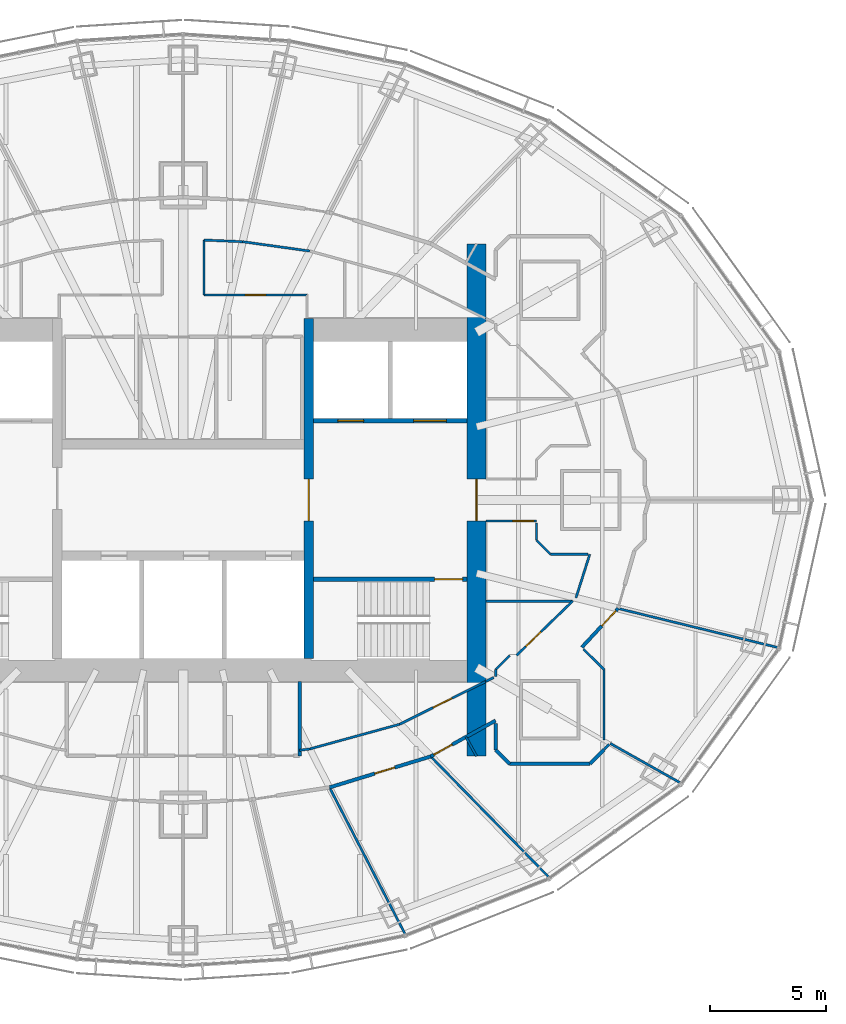
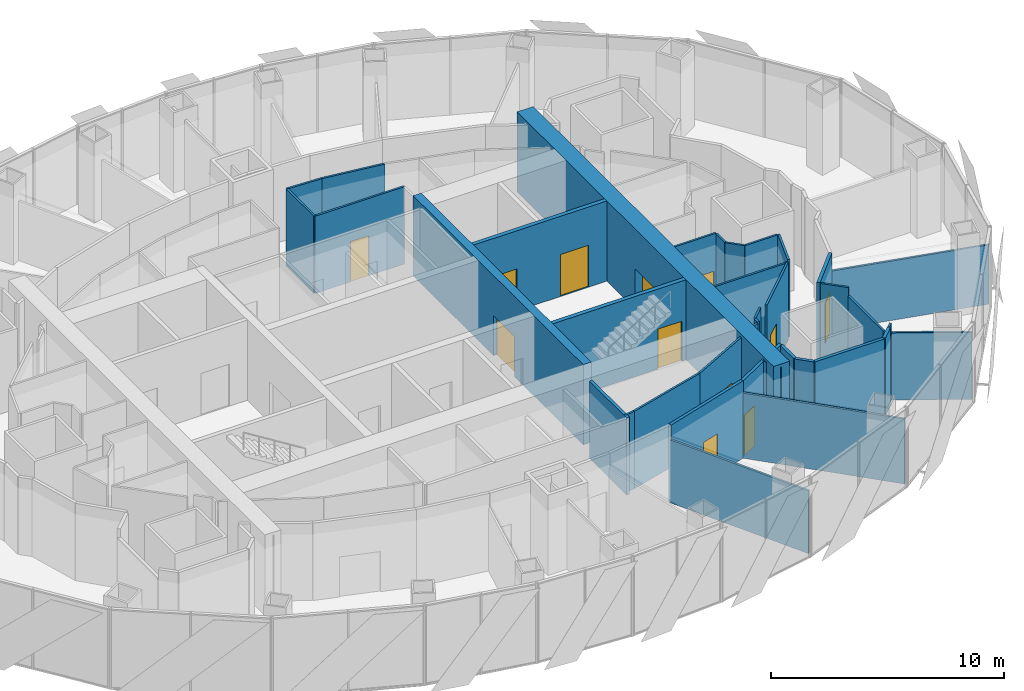
# One storey, part 14 of 19: 37 walls, 12 doors, 12 openings.
"""IFC4 building model written with IfcOpenShell, lengths in metres."""

from ifc_helpers import new_model, si_unit, direction, frame, frame_2d, origin, place, context, subcontext, project, spatial, rectangle, extrude, material, layer, layer_set, type_object, element, fill, save


model = new_model("IFC4")

# Units and contexts
model_context = context("Model", 3, precision=1e-05, world=origin(), true_north=direction((0.0, 1.0)))
body_context = subcontext(model_context, "Body", "Model", "MODEL_VIEW")
ifc_project = project(units=[si_unit("LENGTHUNIT", "METRE"), si_unit("AREAUNIT", "SQUARE_METRE"), si_unit("VOLUMEUNIT", "CUBIC_METRE"), si_unit("PLANEANGLEUNIT", "RADIAN"), si_unit("MASSUNIT", "GRAM", prefix="KILO")], contexts=[model_context])

# Site, building, storey
site_placement = place(None, origin())
site = spatial("IfcSite", under=ifc_project, at=site_placement, CompositionType="ELEMENT")
building_placement = place(site_placement, origin())
building = spatial("IfcBuilding", under=site, at=building_placement, Name="Lantaw Convention Tower", CompositionType="ELEMENT")
storey_placement = place(building_placement, frame((0.0, 0.0, 249.39990234375)))
storey = spatial("IfcBuildingStorey", under=building, at=storey_placement, Name="L58", CompositionType="ELEMENT", Elevation=249.39990234375)

# Wall, opening, door
ifc_material_1 = material(Name="Concrete C60/75", Category="concrete")
ifc_layer_1 = layer(ifc_material_1, 0.199951171875)
ifc_layer_set_1 = layer_set([ifc_layer_1], Name="Core wall 200")
wall_type_1 = type_object("IfcWallType", Name="Core wall 200", PredefinedType="SHEAR", material=ifc_layer_set_1)
wall_1_placement = place(storey_placement, frame((5.60009765625, -3.39990234375, 0.0), z_axis=(0.0, 0.0, 1.0), x_axis=(1.0, 0.0, 0.0)))
wall_1 = element("IfcWall", 1, at=wall_1_placement, inside=storey, type_object=wall_type_1, Name="Core wall ES", PredefinedType="SHEAR", context=body_context, shape_type="SweptSolid", body=[
    extrude(rectangle(XDim=6.599853515625, YDim=0.199951171875, at=frame_2d((3.2998046875, 0.0))), origin(), (0.0, 0.0, 1.0), 4.2001953125),
])
opening_1_placement = place(wall_1_placement, frame((5.199951171875, 0.0, 0.0)))
opening_1 = element("IfcOpeningElement", 2, at=opening_1_placement, cuts=wall_1, Name="Opening L58.03", PredefinedType="OPENING", context=body_context, shape_type="SweptSolid", body=[
    extrude(rectangle(XDim=1.199951171875, YDim=2.10009765625, at=frame_2d((0.60009765625, 1.050048828125))), frame((0.0, 0.10986328125, 0.0), z_axis=(0.0, -1.0, 0.0), x_axis=(1.0, 0.0, 0.0)), (0.0, 0.0, 1.0), 0.219970703125),
])
ifc_material_2 = material(Name="Steel, fire rated", Category="steel")
door_type_1 = type_object("IfcDoorType", Name="Stair door FD90", OperationType="SINGLE_SWING_RIGHT", PredefinedType="DOOR", material=ifc_material_2)
door_1_placement = place(opening_1_placement, origin())
door_1 = element("IfcDoor", 3, at=door_1_placement, inside=storey, type_object=door_type_1, Name="Exit stair door", OperationType="SINGLE_SWING_RIGHT", OverallHeight=2.10009765625, OverallWidth=1.199951171875, PredefinedType="DOOR", context=body_context, shape_type="SweptSolid", body=[
    extrude(rectangle(XDim=1.199951171875, YDim=2.10009765625, at=frame_2d((0.60009765625, 1.050048828125))), frame((0.0, 0.02490234375, 0.0), z_axis=(0.0, -1.0, 0.0), x_axis=(1.0, 0.0, 0.0)), (0.0, 0.0, 1.0), 0.050048828125),
])
fill(opening_1, door_1)

ifc_layer_2 = layer(ifc_material_1, 0.39990234375)
ifc_layer_set_2 = layer_set([ifc_layer_2], Name="Core wall 400")
wall_type_2 = type_object("IfcWallType", Name="Core wall 400", PredefinedType="SHEAR", material=ifc_layer_set_2)
wall_2_placement = place(storey_placement, frame((5.39990234375, -6.800048828125, 0.0), z_axis=(0.0, 0.0, 1.0), x_axis=(0.0, 1.0, 0.0)))
wall_2 = element("IfcWall", 4, at=wall_2_placement, inside=storey, type_object=wall_type_2, Name="Core wall XE", PredefinedType="SHEAR", context=body_context, shape_type="SweptSolid", body=[
    extrude(rectangle(XDim=14.60009765625, YDim=0.39990234375, at=frame_2d((7.300048828125, 0.0))), origin(), (0.0, 0.0, 1.0), 4.2001953125),
])
opening_2_placement = place(wall_2_placement, frame((5.89990234375, 0.0, 0.0)))
opening_2 = element("IfcOpeningElement", 5, at=opening_2_placement, cuts=wall_2, Name="Opening L58.01", PredefinedType="OPENING", context=body_context, shape_type="SweptSolid", body=[
    extrude(rectangle(XDim=1.800048828125, YDim=2.10009765625, at=frame_2d((0.89990234375, 1.050048828125))), frame((0.0, 0.2099609375, 0.0), z_axis=(0.0, -1.0, 0.0), x_axis=(1.0, 0.0, 0.0)), (0.0, 0.0, 1.0), 0.419921875),
])
door_type_2 = type_object("IfcDoorType", Name="Lobby double door FD90", OperationType="DOUBLE_DOOR_DOUBLE_SWING", PredefinedType="DOOR", material=ifc_material_2)
door_2_placement = place(opening_2_placement, origin())
door_2 = element("IfcDoor", 6, at=door_2_placement, inside=storey, type_object=door_type_2, Name="Lift lobby door", OperationType="DOUBLE_DOOR_DOUBLE_SWING", OverallHeight=2.10009765625, OverallWidth=1.800048828125, PredefinedType="DOOR", context=body_context, shape_type="SweptSolid", body=[
    extrude(rectangle(XDim=1.800048828125, YDim=2.10009765625, at=frame_2d((0.89990234375, 1.050048828125))), frame((0.0, 0.02490234375, 0.0), z_axis=(0.0, -1.0, 0.0), x_axis=(1.0, 0.0, 0.0)), (0.0, 0.0, 1.0), 0.050048828125),
])
fill(opening_2, door_2)

ifc_layer_3 = layer(ifc_material_1, 0.800048828125)
ifc_layer_set_3 = layer_set([ifc_layer_3], Name="Core wall 800")
wall_type_3 = type_object("IfcWallType", Name="Core wall 800", PredefinedType="SHEAR", material=ifc_layer_set_3)
wall_3_placement = place(storey_placement, frame((12.60009765625, -11.0, 0.0), z_axis=(0.0, 0.0, 1.0), x_axis=(0.0, 1.0, 0.0)))
wall_3 = element("IfcWall", 7, at=wall_3_placement, inside=storey, type_object=wall_type_3, Name="Core wall E", PredefinedType="SHEAR", context=body_context, shape_type="SweptSolid", body=[
    extrude(rectangle(XDim=22.0, YDim=0.800048828125, at=frame_2d((11.0, 0.0))), origin(), (0.0, 0.0, 1.0), 4.2001953125),
])
opening_3_placement = place(wall_3_placement, frame((10.10009765625, 0.0, 0.0)))
opening_3 = element("IfcOpeningElement", 8, at=opening_3_placement, cuts=wall_3, Name="Opening L58.05", PredefinedType="OPENING", context=body_context, shape_type="SweptSolid", body=[
    extrude(rectangle(XDim=1.800048828125, YDim=2.10009765625, at=frame_2d((0.89990234375, 1.050048828125))), frame((0.0, 0.409912109375, 0.0), z_axis=(0.0, -1.0, 0.0), x_axis=(1.0, 0.0, 0.0)), (0.0, 0.0, 1.0), 0.820068359375),
])
door_3_placement = place(opening_3_placement, origin())
door_3 = element("IfcDoor", 9, at=door_3_placement, inside=storey, type_object=door_type_2, Name="Firefighting lobby door", OperationType="DOUBLE_DOOR_DOUBLE_SWING", OverallHeight=2.10009765625, OverallWidth=1.800048828125, PredefinedType="DOOR", context=body_context, shape_type="SweptSolid", body=[
    extrude(rectangle(XDim=1.800048828125, YDim=2.10009765625, at=frame_2d((0.89990234375, 1.050048828125))), frame((0.0, 0.02490234375, 0.0), z_axis=(0.0, -1.0, 0.0), x_axis=(1.0, 0.0, 0.0)), (0.0, 0.0, 1.0), 0.050048828125),
])
fill(opening_3, door_3)

ifc_material_3 = material(Name="Gypsum board on steel studs, fire rated", Category="steel")
ifc_layer_4 = layer(ifc_material_3, 0.14990234375)
ifc_layer_set_4 = layer_set([ifc_layer_4], Name="Corridor wall 150 EI 60")
wall_type_4 = type_object("IfcWallType", Name="Corridor wall 150 EI 60", PredefinedType="PARTITIONING", material=ifc_layer_set_4)
wall_4_placement = place(storey_placement, frame((6.287841796875, -12.3408203125, 0.0), z_axis=(0.0, 0.0, 1.0), x_axis=(0.956185837153, 0.292760388079, 0.0)))
wall_4 = element("IfcWall", 10, at=wall_4_placement, inside=storey, type_object=wall_type_4, Name="Corridor wall 150", PredefinedType="PARTITIONING", context=body_context, shape_type="SweptSolid", body=[
    extrude(rectangle(XDim=4.5439453125, YDim=0.14990234375, at=frame_2d((2.27197265625, 0.0))), origin(), (0.0, 0.0, 1.0), 4.050048828125),
])
opening_4_placement = place(wall_4_placement, frame((2.031005859375, 0.0, 0.0)))
opening_4 = element("IfcOpeningElement", 11, at=opening_4_placement, cuts=wall_4, Name="Opening L58.48", PredefinedType="OPENING", context=body_context, shape_type="SweptSolid", body=[
    extrude(rectangle(XDim=0.89990234375, YDim=2.10009765625, at=frame_2d((0.449951171875, 1.050048828125))), frame((0.0, 0.0849609375, 0.0), z_axis=(0.0, -1.0, 0.0), x_axis=(1.0, 0.0, 0.0)), (0.0, 0.0, 1.0), 0.169921875),
])
door_type_3 = type_object("IfcDoorType", Name="Office door 900 FD30", OperationType="SINGLE_SWING_LEFT", PredefinedType="DOOR", material=ifc_material_2)
door_4_placement = place(opening_4_placement, origin())
door_4 = element("IfcDoor", 12, at=door_4_placement, inside=storey, type_object=door_type_3, Name="Private office door", OperationType="SINGLE_SWING_LEFT", OverallHeight=2.10009765625, OverallWidth=0.89990234375, PredefinedType="DOOR", context=body_context, shape_type="SweptSolid", body=[
    extrude(rectangle(XDim=0.89990234375, YDim=2.10009765625, at=frame_2d((0.449951171875, 1.050048828125))), frame((0.0, 0.02490234375, 0.0), z_axis=(0.0, -1.0, 0.0), x_axis=(1.0, 0.0, 0.0)), (0.0, 0.0, 1.0), 0.050048828125),
])
fill(opening_4, door_4)

wall_5_placement = place(storey_placement, frame((10.6328125, -11.010498046875, 0.0), z_axis=(0.0, 0.0, 1.0), x_axis=(0.875072100837, 0.483992580869, 0.0)))
wall_5 = element("IfcWall", 13, at=wall_5_placement, inside=storey, type_object=wall_type_4, Name="Corridor wall 150", PredefinedType="PARTITIONING", context=body_context, shape_type="SweptSolid", body=[
    extrude(rectangle(XDim=3.179443359375, YDim=0.14990234375, at=frame_2d((1.58984375, 0.0))), origin(), (0.0, 0.0, 1.0), 4.050048828125),
])
opening_5_placement = place(wall_5_placement, frame((0.14990234375, 0.0, 0.0)))
opening_5 = element("IfcOpeningElement", 14, at=opening_5_placement, cuts=wall_5, Name="Opening L58.49", PredefinedType="OPENING", context=body_context, shape_type="SweptSolid", body=[
    extrude(rectangle(XDim=0.89990234375, YDim=2.10009765625, at=frame_2d((0.449951171875, 1.050048828125))), frame((0.0, 0.0849609375, 0.0), z_axis=(0.0, -1.0, 0.0), x_axis=(1.0, 0.0, 0.0)), (0.0, 0.0, 1.0), 0.169921875),
])
door_5_placement = place(opening_5_placement, origin())
door_5 = element("IfcDoor", 15, at=door_5_placement, inside=storey, type_object=door_type_3, Name="Private office door", OperationType="SINGLE_SWING_LEFT", OverallHeight=2.10009765625, OverallWidth=0.89990234375, PredefinedType="DOOR", context=body_context, shape_type="SweptSolid", body=[
    extrude(rectangle(XDim=0.89990234375, YDim=2.10009765625, at=frame_2d((0.449951171875, 1.050048828125))), frame((0.0, 0.02490234375, 0.0), z_axis=(0.0, -1.0, 0.0), x_axis=(1.0, 0.0, 0.0)), (0.0, 0.0, 1.0), 0.050048828125),
])
fill(opening_5, door_5)

wall_6_placement = place(storey_placement, frame((17.121337890625, -6.32470703125, 0.0), z_axis=(0.0, 0.0, 1.0), x_axis=(0.680985069419, 0.732297299755, 0.0)))
wall_6 = element("IfcWall", 16, at=wall_6_placement, inside=storey, type_object=wall_type_4, Name="Corridor wall 150", PredefinedType="PARTITIONING", context=body_context, shape_type="SweptSolid", body=[
    extrude(rectangle(XDim=2.279052734375, YDim=0.14990234375, at=frame_2d((1.1396484375, 0.0))), origin(), (0.0, 0.0, 1.0), 4.050048828125),
])
opening_6_placement = place(wall_6_placement, frame((1.25, 0.0, 0.0)))
opening_6 = element("IfcOpeningElement", 17, at=opening_6_placement, cuts=wall_6, Name="Opening L58.50", PredefinedType="OPENING", context=body_context, shape_type="SweptSolid", body=[
    extrude(rectangle(XDim=0.89990234375, YDim=2.10009765625, at=frame_2d((0.449951171875, 1.050048828125))), frame((0.0, 0.0849609375, 0.0), z_axis=(0.0, -1.0, 0.0), x_axis=(1.0, 0.0, 0.0)), (0.0, 0.0, 1.0), 0.169921875),
])
door_6_placement = place(opening_6_placement, origin())
door_6 = element("IfcDoor", 18, at=door_6_placement, inside=storey, type_object=door_type_3, Name="Pantry door", OperationType="SINGLE_SWING_LEFT", OverallHeight=2.10009765625, OverallWidth=0.89990234375, PredefinedType="DOOR", context=body_context, shape_type="SweptSolid", body=[
    extrude(rectangle(XDim=0.89990234375, YDim=2.10009765625, at=frame_2d((0.449951171875, 1.050048828125))), frame((0.0, 0.02490234375, 0.0), z_axis=(0.0, -1.0, 0.0), x_axis=(1.0, 0.0, 0.0)), (0.0, 0.0, 1.0), 0.050048828125),
])
fill(opening_6, door_6)

# Walls
wall_7_placement = place(storey_placement, frame((18.074951171875, -10.724609375, 0.0), z_axis=(0.0, 0.0, 1.0), x_axis=(-0.707106781187, -0.707106781187, 0.0)))
element("IfcWall", 19, at=wall_7_placement, inside=storey, type_object=wall_type_4, Name="Corridor wall 150", PredefinedType="PARTITIONING", context=body_context, shape_type="SweptSolid", body=[
    extrude(rectangle(XDim=0.84912109375, YDim=0.14990234375, at=frame_2d((0.424560546875, 0.0))), origin(), (0.0, 0.0, 1.0), 4.050048828125),
])
wall_8_placement = place(storey_placement, frame((17.474609375, -11.324951171875, 0.0), z_axis=(0.0, 0.0, 1.0), x_axis=(-1.0, 0.0, 0.0)))
element("IfcWall", 20, at=wall_8_placement, inside=storey, type_object=wall_type_4, Name="Corridor wall 150", PredefinedType="PARTITIONING", context=body_context, shape_type="SweptSolid", body=[
    extrude(rectangle(XDim=3.44921875, YDim=0.14990234375, at=frame_2d((1.724609375, 0.0))), origin(), (0.0, 0.0, 1.0), 4.050048828125),
])
wall_9_placement = place(storey_placement, frame((14.025390625, -11.324951171875, 0.0), z_axis=(0.0, 0.0, 1.0), x_axis=(-0.707106781187, 0.707106781187, 0.0)))
element("IfcWall", 21, at=wall_9_placement, inside=storey, type_object=wall_type_4, Name="Corridor wall 150", PredefinedType="PARTITIONING", context=body_context, shape_type="SweptSolid", body=[
    extrude(rectangle(XDim=0.84912109375, YDim=0.14990234375, at=frame_2d((0.424560546875, 0.0))), origin(), (0.0, 0.0, 1.0), 4.050048828125),
])
wall_10_placement = place(storey_placement, frame((13.425048828125, -10.724609375, 0.0), z_axis=(0.0, 0.0, 1.0), x_axis=(0.0, 1.0, 0.0)))
element("IfcWall", 22, at=wall_10_placement, inside=storey, type_object=wall_type_4, Name="Corridor wall 150", PredefinedType="PARTITIONING", context=body_context, shape_type="SweptSolid", body=[
    extrude(rectangle(XDim=1.138427734375, YDim=0.14990234375, at=frame_2d((0.5693359375, 0.0))), origin(), (0.0, 0.0, 1.0), 4.050048828125),
])
ifc_material_4 = material(Name="Gypsum board on steel studs, acoustic", Category="steel")
ifc_layer_5 = layer(ifc_material_4, 0.10009765625)
ifc_layer_set_5 = layer_set([ifc_layer_5], Name="Office partition 100")
wall_type_5 = type_object("IfcWallType", Name="Office partition 100", PredefinedType="PARTITIONING", material=ifc_layer_set_5)
wall_11_placement = place(storey_placement, frame((9.53955078125, -18.650390625, 0.0), z_axis=(0.0, 0.0, 1.0), x_axis=(-0.45810402165, 0.88889859115, 0.0)))
element("IfcWall", 23, at=wall_11_placement, inside=storey, type_object=wall_type_5, Name="Office partition 100", PredefinedType="PARTITIONING", context=body_context, shape_type="SweptSolid", body=[
    extrude(rectangle(XDim=7.09814453125, YDim=0.10009765625, at=frame_2d((3.549072265625, 0.0))), origin(), (0.0, 0.0, 1.0), 3.293212890625),
])
wall_12_placement = place(storey_placement, frame((15.709228515625, -16.19873046875, 0.0), z_axis=(0.0, 0.0, 1.0), x_axis=(-0.699362525935, 0.714767135029, 0.0)))
element("IfcWall", 24, at=wall_12_placement, inside=storey, type_object=wall_type_5, Name="Office partition 100", PredefinedType="PARTITIONING", context=body_context, shape_type="SweptSolid", body=[
    extrude(rectangle(XDim=7.258544921875, YDim=0.10009765625, at=frame_2d((3.62939453125, 0.0))), origin(), (0.0, 0.0, 1.0), 3.409912109375),
])
wall_13_placement = place(storey_placement, frame((25.54296875, -6.33544921875, 0.0), z_axis=(0.0, 0.0, 1.0), x_axis=(-0.971384494438, 0.237512450129, 0.0)))
element("IfcWall", 25, at=wall_13_placement, inside=storey, type_object=wall_type_5, Name="Office partition 100", PredefinedType="PARTITIONING", context=body_context, shape_type="SweptSolid", body=[
    extrude(rectangle(XDim=7.072021484375, YDim=0.10009765625, at=frame_2d((3.5361328125, 0.0))), origin(), (0.0, 0.0, 1.0), 3.107666015625),
])

# Wall, opening, door
wall_14_placement = place(storey_placement, frame((12.976806640625, -7.800048828125, 0.0), z_axis=(0.0, 0.0, 1.0), x_axis=(-0.895529831139, -0.445001484874, 0.0)))
wall_14 = element("IfcWall", 26, at=wall_14_placement, inside=storey, type_object=wall_type_5, Name="Office partition 100", PredefinedType="PARTITIONING", context=body_context, shape_type="SweptSolid", body=[
    extrude(rectangle(XDim=4.108154296875, YDim=0.10009765625, at=frame_2d((2.05419921875, 0.0))), origin(), (0.0, 0.0, 1.0), 4.050048828125),
])
opening_7_placement = place(wall_14_placement, frame((1.60400390625, 0.0, 0.0)))
opening_7 = element("IfcOpeningElement", 27, at=opening_7_placement, cuts=wall_14, Name="Opening L58.25", PredefinedType="OPENING", context=body_context, shape_type="SweptSolid", body=[
    extrude(rectangle(XDim=0.89990234375, YDim=2.10009765625, at=frame_2d((0.449951171875, 1.050048828125))), frame((0.0, 0.06005859375, 0.0), z_axis=(0.0, -1.0, 0.0), x_axis=(1.0, 0.0, 0.0)), (0.0, 0.0, 1.0), 0.1201171875),
])
ifc_material_5 = material(Name="Timber", Category="wood")
door_type_4 = type_object("IfcDoorType", Name="Office door 900", OperationType="SINGLE_SWING_LEFT", PredefinedType="DOOR", material=ifc_material_5)
door_7_placement = place(opening_7_placement, origin())
door_7 = element("IfcDoor", 28, at=door_7_placement, inside=storey, type_object=door_type_4, Name="Meeting room door", OperationType="SINGLE_SWING_LEFT", OverallHeight=2.10009765625, OverallWidth=0.89990234375, PredefinedType="DOOR", context=body_context, shape_type="SweptSolid", body=[
    extrude(rectangle(XDim=0.89990234375, YDim=2.10009765625, at=frame_2d((0.449951171875, 1.050048828125))), frame((0.0, 0.02490234375, 0.0), z_axis=(0.0, -1.0, 0.0), x_axis=(1.0, 0.0, 0.0)), (0.0, 0.0, 1.0), 0.050048828125),
])
fill(opening_7, door_7)

# Walls
wall_15_placement = place(storey_placement, frame((9.2978515625, -9.628173828125, 0.0), z_axis=(0.0, 0.0, 1.0), x_axis=(-0.964244438722, -0.265014456954, 0.0)))
element("IfcWall", 29, at=wall_15_placement, inside=storey, type_object=wall_type_5, Name="Office partition 100", PredefinedType="PARTITIONING", context=body_context, shape_type="SweptSolid", body=[
    extrude(rectangle(XDim=3.995361328125, YDim=0.10009765625, at=frame_2d((1.99755859375, 0.0))), origin(), (0.0, 0.0, 1.0), 4.050048828125),
])
wall_16_placement = place(storey_placement, frame((5.4453125, -10.68701171875, 0.0), z_axis=(0.0, 0.0, 1.0), x_axis=(-0.990442882696, -0.137923515463, 0.0)))
element("IfcWall", 30, at=wall_16_placement, inside=storey, type_object=wall_type_5, Name="Office partition 100", PredefinedType="PARTITIONING", context=body_context, shape_type="SweptSolid", body=[
    extrude(rectangle(XDim=0.44970703125, YDim=0.10009765625, at=frame_2d((0.224853515625, 0.0))), origin(), (0.0, 0.0, 1.0), 4.050048828125),
])
wall_17_placement = place(storey_placement, frame((13.3369140625, -7.62109375, 0.0), z_axis=(0.0, 0.0, 1.0), x_axis=(-0.895721570004, -0.444615416995, 0.0)))
element("IfcWall", 31, at=wall_17_placement, inside=storey, type_object=wall_type_5, Name="Office partition 100", PredefinedType="PARTITIONING", context=body_context, shape_type="SweptSolid", body=[
    extrude(rectangle(XDim=0.376220703125, YDim=0.10009765625, at=frame_2d((0.18798828125, 0.0))), origin(), (0.0, 0.0, 1.0), 4.050048828125),
])
wall_18_placement = place(storey_placement, frame((13.0, -4.340087890625, 0.0), z_axis=(0.0, 0.0, 1.0), x_axis=(1.0, 0.0, 0.0)))
element("IfcWall", 32, at=wall_18_placement, inside=storey, type_object=wall_type_5, Name="Office partition 100", PredefinedType="PARTITIONING", context=body_context, shape_type="SweptSolid", body=[
    extrude(rectangle(XDim=3.729248046875, YDim=0.10009765625, at=frame_2d((1.86474609375, 0.0))), origin(), (0.0, 0.0, 1.0), 4.050048828125),
])

# Wall, opening, door
wall_19_placement = place(storey_placement, frame((5.320068359375, 8.800048828125, 0.0), z_axis=(0.0, 0.0, 1.0), x_axis=(-1.0, 0.0, 0.0)))
wall_19 = element("IfcWall", 33, at=wall_19_placement, inside=storey, type_object=wall_type_5, Name="Office partition 100", PredefinedType="PARTITIONING", context=body_context, shape_type="SweptSolid", body=[
    extrude(rectangle(XDim=4.420166015625, YDim=0.10009765625, at=frame_2d((2.2099609375, 0.0))), origin(), (0.0, 0.0, 1.0), 4.050048828125),
])
opening_8_placement = place(wall_19_placement, frame((1.760009765625, 0.0, 0.0)))
opening_8 = element("IfcOpeningElement", 34, at=opening_8_placement, cuts=wall_19, Name="Opening L58.30", PredefinedType="OPENING", context=body_context, shape_type="SweptSolid", body=[
    extrude(rectangle(XDim=0.89990234375, YDim=2.10009765625, at=frame_2d((0.449951171875, 1.050048828125))), frame((0.0, 0.06005859375, 0.0), z_axis=(0.0, -1.0, 0.0), x_axis=(1.0, 0.0, 0.0)), (0.0, 0.0, 1.0), 0.1201171875),
])
door_8_placement = place(opening_8_placement, origin())
door_8 = element("IfcDoor", 35, at=door_8_placement, inside=storey, type_object=door_type_4, Name="Meeting room door", OperationType="SINGLE_SWING_LEFT", OverallHeight=2.10009765625, OverallWidth=0.89990234375, PredefinedType="DOOR", context=body_context, shape_type="SweptSolid", body=[
    extrude(rectangle(XDim=0.89990234375, YDim=2.10009765625, at=frame_2d((0.449951171875, 1.050048828125))), frame((0.0, 0.02490234375, 0.0), z_axis=(0.0, -1.0, 0.0), x_axis=(1.0, 0.0, 0.0)), (0.0, 0.0, 1.0), 0.050048828125),
])
fill(opening_8, door_8)

# Walls
wall_20_placement = place(storey_placement, frame((0.89990234375, 8.800048828125, 0.0), z_axis=(0.0, 0.0, 1.0), x_axis=(0.0, 1.0, 0.0)))
element("IfcWall", 36, at=wall_20_placement, inside=storey, type_object=wall_type_5, Name="Office partition 100", PredefinedType="PARTITIONING", context=body_context, shape_type="SweptSolid", body=[
    extrude(rectangle(XDim=2.36083984375, YDim=0.10009765625, at=frame_2d((1.180419921875, 0.0))), origin(), (0.0, 0.0, 1.0), 4.050048828125),
])
wall_21_placement = place(storey_placement, frame((0.89990234375, 11.160888671875, 0.0), z_axis=(0.0, 0.0, 1.0), x_axis=(0.999053939397, -0.043488230303, 0.0)))
element("IfcWall", 37, at=wall_21_placement, inside=storey, type_object=wall_type_5, Name="Office partition 100", PredefinedType="PARTITIONING", context=body_context, shape_type="SweptSolid", body=[
    extrude(rectangle(XDim=1.66162109375, YDim=0.10009765625, at=frame_2d((0.830810546875, 0.0))), origin(), (0.0, 0.0, 1.0), 4.050048828125),
])
wall_22_placement = place(storey_placement, frame((2.56005859375, 11.088623046875, 0.0), z_axis=(0.0, 0.0, 1.0), x_axis=(0.99045099049, -0.137865280027, 0.0)))
element("IfcWall", 38, at=wall_22_placement, inside=storey, type_object=wall_type_5, Name="Office partition 100", PredefinedType="PARTITIONING", context=body_context, shape_type="SweptSolid", body=[
    extrude(rectangle(XDim=2.9130859375, YDim=0.10009765625, at=frame_2d((1.45654296875, 0.0))), origin(), (0.0, 0.0, 1.0), 4.050048828125),
])
wall_23_placement = place(storey_placement, frame((12.60009765625, -11.0, 0.0), z_axis=(0.0, 0.0, 1.0), x_axis=(-0.484103558985, 0.875010710893, 0.0)))
element("IfcWall", 39, at=wall_23_placement, inside=storey, type_object=wall_type_5, Name="Office partition 100", PredefinedType="PARTITIONING", context=body_context, shape_type="SweptSolid", body=[
    extrude(rectangle(XDim=0.943115234375, YDim=0.10009765625, at=frame_2d((0.4716796875, 0.0))), origin(), (0.0, 0.0, 1.0), 4.050048828125),
])
wall_24_placement = place(storey_placement, frame((21.3583984375, -12.149658203125, 0.0), z_axis=(0.0, 0.0, 1.0), x_axis=(-0.871494482514, 0.49040530885, 0.0)))
element("IfcWall", 40, at=wall_24_placement, inside=storey, type_object=wall_type_5, Name="Office partition 100", PredefinedType="PARTITIONING", context=body_context, shape_type="SweptSolid", body=[
    extrude(rectangle(XDim=3.45947265625, YDim=0.10009765625, at=frame_2d((1.729736328125, 0.0))), origin(), (0.0, 0.0, 1.0), 3.521728515625),
])

# Wall, opening, door
wall_25_placement = place(storey_placement, frame((16.729248046875, -4.340087890625, 0.0), z_axis=(0.0, 0.0, 1.0), x_axis=(-0.718798647558, -0.695218314107, 0.0)))
wall_25 = element("IfcWall", 41, at=wall_25_placement, inside=storey, type_object=wall_type_5, Name="Office partition 100", PredefinedType="PARTITIONING", context=body_context, shape_type="SweptSolid", body=[
    extrude(rectangle(XDim=3.34423828125, YDim=0.10009765625, at=frame_2d((1.672119140625, 0.0))), origin(), (0.0, 0.0, 1.0), 4.050048828125),
])
opening_9_placement = place(wall_25_placement, frame((1.89990234375, 0.0, 0.0)))
opening_9 = element("IfcOpeningElement", 42, at=opening_9_placement, cuts=wall_25, Name="Opening L58.26", PredefinedType="OPENING", context=body_context, shape_type="SweptSolid", body=[
    extrude(rectangle(XDim=0.89990234375, YDim=2.10009765625, at=frame_2d((0.449951171875, 1.050048828125))), frame((0.0, 0.06005859375, 0.0), z_axis=(0.0, -1.0, 0.0), x_axis=(1.0, 0.0, 0.0)), (0.0, 0.0, 1.0), 0.1201171875),
])
door_9_placement = place(opening_9_placement, origin())
door_9 = element("IfcDoor", 43, at=door_9_placement, inside=storey, type_object=door_type_4, Name="Copy and print room door", OperationType="SINGLE_SWING_LEFT", OverallHeight=2.10009765625, OverallWidth=0.89990234375, PredefinedType="DOOR", context=body_context, shape_type="SweptSolid", body=[
    extrude(rectangle(XDim=0.89990234375, YDim=2.10009765625, at=frame_2d((0.449951171875, 1.050048828125))), frame((0.0, 0.02490234375, 0.0), z_axis=(0.0, -1.0, 0.0), x_axis=(1.0, 0.0, 0.0)), (0.0, 0.0, 1.0), 0.050048828125),
])
fill(opening_9, door_9)

# Walls
wall_26_placement = place(storey_placement, frame((13.425048828125, -7.57763671875, 0.0), z_axis=(0.0, 0.0, 1.0), x_axis=(0.0, 1.0, 0.0)))
element("IfcWall", 44, at=wall_26_placement, inside=storey, type_object=wall_type_5, Name="Office partition 100", PredefinedType="PARTITIONING", context=body_context, shape_type="SweptSolid", body=[
    extrude(rectangle(XDim=0.30224609375, YDim=0.10009765625, at=frame_2d((0.151123046875, 0.0))), origin(), (0.0, 0.0, 1.0), 4.050048828125),
])
wall_27_placement = place(storey_placement, frame((13.425048828125, -7.275390625, 0.0), z_axis=(0.0, 0.0, 1.0), x_axis=(0.707106781187, 0.707106781187, 0.0)))
element("IfcWall", 45, at=wall_27_placement, inside=storey, type_object=wall_type_5, Name="Office partition 100", PredefinedType="PARTITIONING", context=body_context, shape_type="SweptSolid", body=[
    extrude(rectangle(XDim=0.84912109375, YDim=0.10009765625, at=frame_2d((0.424560546875, 0.0))), origin(), (0.0, 0.0, 1.0), 4.050048828125),
])
wall_28_placement = place(storey_placement, frame((18.289306640625, -10.493408203125, 0.0), z_axis=(0.0, 0.0, 1.0), x_axis=(-0.707509576179, -0.706703756616, 0.0)))
element("IfcWall", 46, at=wall_28_placement, inside=storey, type_object=wall_type_5, Name="Office partition 100", PredefinedType="PARTITIONING", context=body_context, shape_type="SweptSolid", body=[
    extrude(rectangle(XDim=0.302978515625, YDim=0.10009765625, at=frame_2d((0.1513671875, 0.0))), origin(), (0.0, 0.0, 1.0), 4.050048828125),
])
wall_29_placement = place(storey_placement, frame((17.1865234375, -6.40380859375, 0.0), z_axis=(0.0, 0.0, 1.0), x_axis=(0.713842064016, -0.700306723973, 0.0)))
element("IfcWall", 47, at=wall_29_placement, inside=storey, type_object=wall_type_5, Name="Office partition 100", PredefinedType="PARTITIONING", context=body_context, shape_type="SweptSolid", body=[
    extrude(rectangle(XDim=1.24462890625, YDim=0.10009765625, at=frame_2d((0.622314453125, 0.0))), origin(), (0.0, 0.0, 1.0), 4.050048828125),
])
wall_30_placement = place(storey_placement, frame((18.074951171875, -7.275390625, 0.0), z_axis=(0.0, 0.0, 1.0), x_axis=(0.0, -1.0, 0.0)))
element("IfcWall", 48, at=wall_30_placement, inside=storey, type_object=wall_type_5, Name="Office partition 100", PredefinedType="PARTITIONING", context=body_context, shape_type="SweptSolid", body=[
    extrude(rectangle(XDim=3.026611328125, YDim=0.10009765625, at=frame_2d((1.51318359375, 0.0))), origin(), (0.0, 0.0, 1.0), 3.6005859375),
])
wall_31_placement = place(storey_placement, frame((17.46044921875, -2.3349609375, 0.0), z_axis=(0.0, 0.0, 1.0), x_axis=(-0.301821975729, -0.953364303384, 0.0)))
element("IfcWall", 49, at=wall_31_placement, inside=storey, type_object=wall_type_5, Name="Office partition 100", PredefinedType="PARTITIONING", context=body_context, shape_type="SweptSolid", body=[
    extrude(rectangle(XDim=1.96240234375, YDim=0.10009765625, at=frame_2d((0.981201171875, 0.0))), origin(), (0.0, 0.0, 1.0), 4.050048828125),
])

# Wall, opening, door
wall_32_placement = place(storey_placement, frame((13.0, -0.89990234375, 0.0), z_axis=(0.0, 0.0, 1.0), x_axis=(1.0, 0.0, 0.0)))
wall_32 = element("IfcWall", 50, at=wall_32_placement, inside=storey, type_object=wall_type_5, Name="Office partition 100", PredefinedType="PARTITIONING", context=body_context, shape_type="SweptSolid", body=[
    extrude(rectangle(XDim=2.1650390625, YDim=0.10009765625, at=frame_2d((1.08251953125, 0.0))), origin(), (0.0, 0.0, 1.0), 4.050048828125),
])
opening_10_placement = place(wall_32_placement, frame((1.14990234375, 0.0, 0.0)))
opening_10 = element("IfcOpeningElement", 51, at=opening_10_placement, cuts=wall_32, Name="Opening L58.27", PredefinedType="OPENING", context=body_context, shape_type="SweptSolid", body=[
    extrude(rectangle(XDim=0.89990234375, YDim=2.10009765625, at=frame_2d((0.449951171875, 1.050048828125))), frame((0.0, 0.06005859375, 0.0), z_axis=(0.0, -1.0, 0.0), x_axis=(1.0, 0.0, 0.0)), (0.0, 0.0, 1.0), 0.1201171875),
])
door_10_placement = place(opening_10_placement, origin())
door_10 = element("IfcDoor", 52, at=door_10_placement, inside=storey, type_object=door_type_4, Name="Project room door", OperationType="SINGLE_SWING_LEFT", OverallHeight=2.10009765625, OverallWidth=0.89990234375, PredefinedType="DOOR", context=body_context, shape_type="SweptSolid", body=[
    extrude(rectangle(XDim=0.89990234375, YDim=2.10009765625, at=frame_2d((0.449951171875, 1.050048828125))), frame((0.0, 0.02490234375, 0.0), z_axis=(0.0, -1.0, 0.0), x_axis=(1.0, 0.0, 0.0)), (0.0, 0.0, 1.0), 0.050048828125),
])
fill(opening_10, door_10)

# Walls
wall_33_placement = place(storey_placement, frame((15.175048828125, -1.724609375, 0.0), z_axis=(0.0, 0.0, 1.0), x_axis=(0.0, 1.0, 0.0)))
element("IfcWall", 53, at=wall_33_placement, inside=storey, type_object=wall_type_5, Name="Office partition 100", PredefinedType="PARTITIONING", context=body_context, shape_type="SweptSolid", body=[
    extrude(rectangle(XDim=0.746337890625, YDim=0.10009765625, at=frame_2d((0.373046875, 0.0))), origin(), (0.0, 0.0, 1.0), 4.050048828125),
])
wall_34_placement = place(storey_placement, frame((17.3798828125, -2.324951171875, 0.0), z_axis=(0.0, 0.0, 1.0), x_axis=(-1.0, 0.0, 0.0)))
element("IfcWall", 54, at=wall_34_placement, inside=storey, type_object=wall_type_5, Name="Office partition 100", PredefinedType="PARTITIONING", context=body_context, shape_type="SweptSolid", body=[
    extrude(rectangle(XDim=1.6044921875, YDim=0.10009765625, at=frame_2d((0.80224609375, 0.0))), origin(), (0.0, 0.0, 1.0), 4.050048828125),
])
wall_35_placement = place(storey_placement, frame((15.775390625, -2.324951171875, 0.0), z_axis=(0.0, 0.0, 1.0), x_axis=(-0.707106781187, 0.707106781187, 0.0)))
element("IfcWall", 55, at=wall_35_placement, inside=storey, type_object=wall_type_5, Name="Office partition 100", PredefinedType="PARTITIONING", context=body_context, shape_type="SweptSolid", body=[
    extrude(rectangle(XDim=0.84912109375, YDim=0.10009765625, at=frame_2d((0.424560546875, 0.0))), origin(), (0.0, 0.0, 1.0), 4.050048828125),
])

# Wall, openings, doors
ifc_material_6 = material(Name="Concrete blockwork, fire rated", Category="masonry")
ifc_layer_6 = layer(ifc_material_6, 0.199951171875)
ifc_layer_set_6 = layer_set([ifc_layer_6], Name="Shaft wall 200")
wall_type_6 = type_object("IfcWallType", Name="Shaft wall 200", PredefinedType="SOLIDWALL", material=ifc_layer_set_6)
wall_36_placement = place(storey_placement, frame((12.199951171875, 3.39990234375, 0.0), z_axis=(0.0, 0.0, 1.0), x_axis=(-1.0, 0.0, 0.0)))
wall_36 = element("IfcWall", 56, at=wall_36_placement, inside=storey, type_object=wall_type_6, Name="Shaft wall EN", PredefinedType="SOLIDWALL", context=body_context, shape_type="SweptSolid", body=[
    extrude(rectangle(XDim=6.599853515625, YDim=0.199951171875, at=frame_2d((3.2998046875, 0.0))), origin(), (0.0, 0.0, 1.0), 4.2001953125),
])
opening_11_placement = place(wall_36_placement, frame((4.449951171875, 0.0, 0.0)))
opening_11 = element("IfcOpeningElement", 57, at=opening_11_placement, cuts=wall_36, Name="Opening L58.12", PredefinedType="OPENING", context=body_context, shape_type="SweptSolid", body=[
    extrude(rectangle(XDim=1.10009765625, YDim=2.199951171875, at=frame_2d((0.550048828125, 1.10009765625))), frame((0.0, 0.10986328125, 0.0), z_axis=(0.0, -1.0, 0.0), x_axis=(1.0, 0.0, 0.0)), (0.0, 0.0, 1.0), 0.219970703125),
])
opening_12_placement = place(wall_36_placement, frame((0.89990234375, 0.0, 0.0)))
opening_12 = element("IfcOpeningElement", 58, at=opening_12_placement, cuts=wall_36, Name="Opening L58.13", PredefinedType="OPENING", context=body_context, shape_type="SweptSolid", body=[
    extrude(rectangle(XDim=1.39990234375, YDim=2.199951171875, at=frame_2d((0.699951171875, 1.10009765625))), frame((0.0, 0.10986328125, 0.0), z_axis=(0.0, -1.0, 0.0), x_axis=(1.0, 0.0, 0.0)), (0.0, 0.0, 1.0), 0.219970703125),
])
ifc_material_7 = material(Name="Stainless steel", Category="steel")
door_type_5 = type_object("IfcDoorType", Name="Lift landing door 1100", OperationType="DOUBLE_DOOR_SLIDING", PredefinedType="DOOR", material=ifc_material_7)
door_11_placement = place(opening_11_placement, origin())
door_11 = element("IfcDoor", 59, at=door_11_placement, inside=storey, type_object=door_type_5, Name="Lift landing door FF2", OperationType="DOUBLE_DOOR_SLIDING", OverallHeight=2.199951171875, OverallWidth=1.10009765625, PredefinedType="DOOR", context=body_context, shape_type="SweptSolid", body=[
    extrude(rectangle(XDim=1.10009765625, YDim=2.199951171875, at=frame_2d((0.550048828125, 1.10009765625))), frame((0.0, 0.02490234375, 0.0), z_axis=(0.0, -1.0, 0.0), x_axis=(1.0, 0.0, 0.0)), (0.0, 0.0, 1.0), 0.050048828125),
])
fill(opening_11, door_11)
door_type_6 = type_object("IfcDoorType", Name="Lift landing door 1400", OperationType="DOUBLE_DOOR_SLIDING", PredefinedType="DOOR", material=ifc_material_7)
door_12_placement = place(opening_12_placement, origin())
door_12 = element("IfcDoor", 60, at=door_12_placement, inside=storey, type_object=door_type_6, Name="Lift landing door SV2", OperationType="DOUBLE_DOOR_SLIDING", OverallHeight=2.199951171875, OverallWidth=1.39990234375, PredefinedType="DOOR", context=body_context, shape_type="SweptSolid", body=[
    extrude(rectangle(XDim=1.39990234375, YDim=2.199951171875, at=frame_2d((0.699951171875, 1.10009765625))), frame((0.0, 0.02490234375, 0.0), z_axis=(0.0, -1.0, 0.0), x_axis=(1.0, 0.0, 0.0)), (0.0, 0.0, 1.0), 0.050048828125),
])
fill(opening_12, door_12)

# Wall
ifc_material_8 = material(Name="Concrete blockwork", Category="masonry")
ifc_layer_7 = layer(ifc_material_8, 0.14990234375)
ifc_layer_set_7 = layer_set([ifc_layer_7], Name="WC wall 150")
wall_type_7 = type_object("IfcWallType", Name="WC wall 150", PredefinedType="SOLIDWALL", material=ifc_layer_set_7)
wall_37_placement = place(storey_placement, frame((5.0, -7.800048828125, 0.0), z_axis=(0.0, 0.0, 1.0), x_axis=(0.0, -1.0, 0.0)))
element("IfcWall", 61, at=wall_37_placement, inside=storey, type_object=wall_type_7, Name="WC wall 150", PredefinedType="SOLIDWALL", context=body_context, shape_type="SweptSolid", body=[
    extrude(rectangle(XDim=3.18701171875, YDim=0.14990234375, at=frame_2d((1.593505859375, 0.0))), origin(), (0.0, 0.0, 1.0), 4.050048828125),
])

save(model, "model.ifc")
